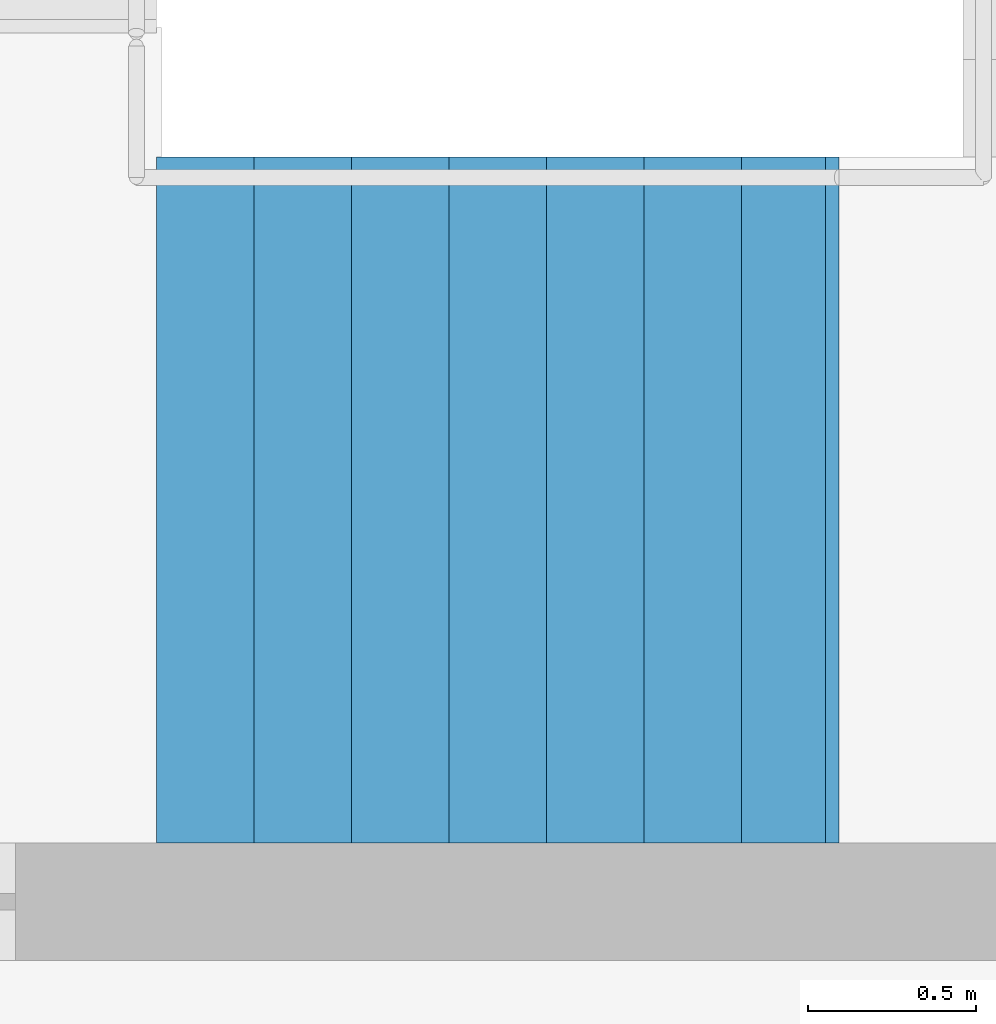
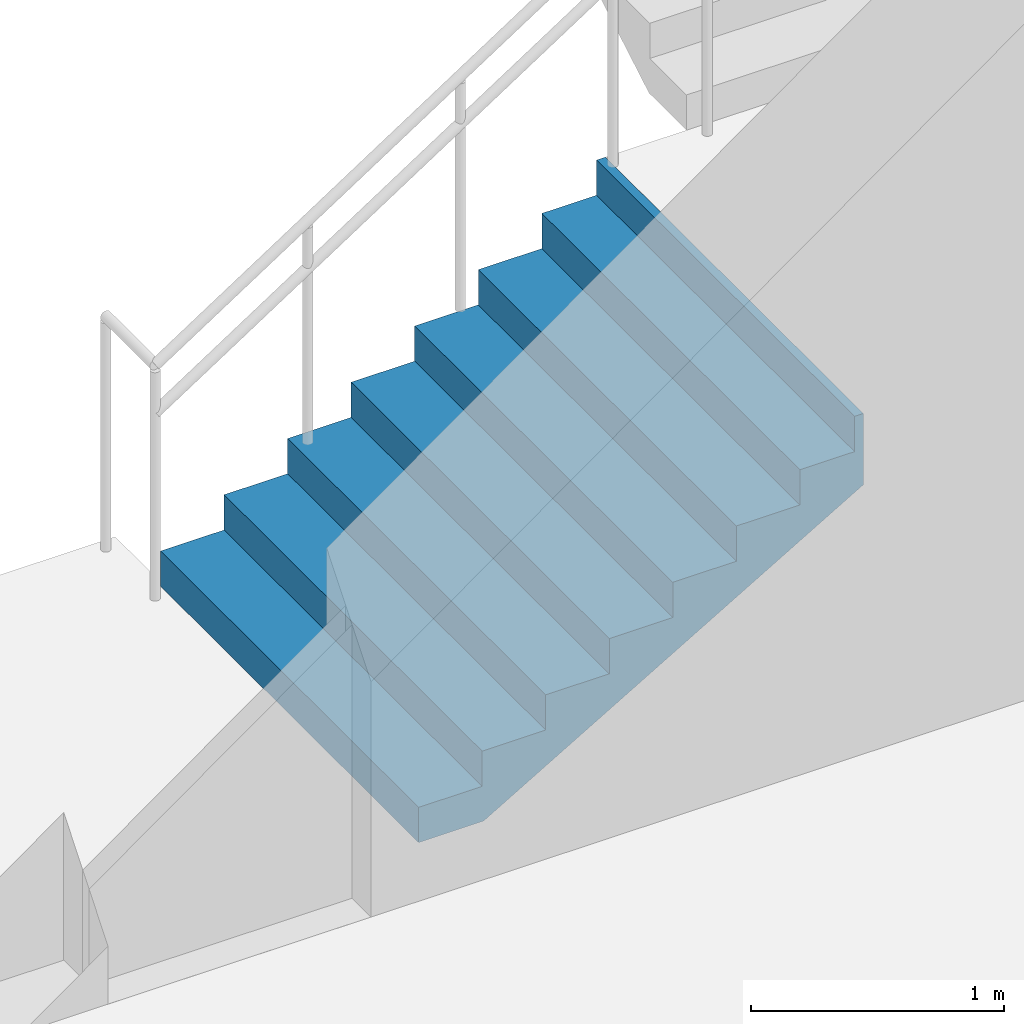
# One storey, part 54 of 72: 1 stair flight, 1 element without a shape of its own.
"""IFC4 building model written with IfcOpenShell, lengths in metres."""

from ifc_helpers import new_model, si_unit, direction, frame, origin, place, context, subcontext, project, spatial, triangles, material, type_object, element, aggregate, save


model = new_model("IFC4")

# Units and contexts
model_context = context("Model", 3, precision=1e-05, world=origin(), true_north=direction((0.0, 1.0)))
body_context = subcontext(model_context, "Body", "Model", "MODEL_VIEW")
ifc_project = project(units=[si_unit("LENGTHUNIT", "METRE"), si_unit("AREAUNIT", "SQUARE_METRE"), si_unit("VOLUMEUNIT", "CUBIC_METRE"), si_unit("PLANEANGLEUNIT", "RADIAN"), si_unit("MASSUNIT", "GRAM", prefix="KILO")], contexts=[model_context])

# Site, building, storey
site_placement = place(None, origin())
site = spatial("IfcSite", under=ifc_project, at=site_placement, CompositionType="ELEMENT")
building_placement = place(site_placement, origin())
building = spatial("IfcBuilding", under=site, at=building_placement, Name="Sillaruma Civic Art Gallery", CompositionType="ELEMENT")
storey_placement = place(building_placement, frame((0.0, 0.0, 10.8798828125)))
storey = spatial("IfcBuildingStorey", under=building, at=storey_placement, Name="L02", CompositionType="ELEMENT", Elevation=10.8798828125)

# Stair, stair flight
ifc_material = material(Name="Concrete H35 (35 MPa)", Category="concrete")
stair_type = type_object("IfcStairType", Name="STR-4F-32", PredefinedType="USERDEFINED", material=ifc_material)
stair_placement = place(storey_placement, origin())
stair = element("IfcStair", 1, at=stair_placement, inside=storey, type_object=stair_type, Name="Protected Exit Stair ST-04 (East Bar) (L02)", ObjectType="THREE_RETURN_STAIR", PredefinedType="USERDEFINED")
stair_flight_type = type_object("IfcStairFlightType", Name="SFL-STR-8", PredefinedType="STRAIGHT", material=ifc_material)
stair_flight_placement = place(storey_placement, frame((100.89990234375, 52.22998046875, 0.0), z_axis=(0.0, 0.0, 1.0), x_axis=(1.0, 0.0, 0.0)))
stair_flight = element("IfcStairFlight", 2, at=stair_flight_placement, type_object=stair_flight_type, Name="ST-04 flight 1", NumberOfRisers=8, NumberOfTreads=7, PredefinedType="STRAIGHT", RiserHeight=0.17, TreadLength=0.29, context=body_context, shape_type="Tessellation", body=[
    triangles([(0.0, -1.02001953125, 0.0), (0.29, -1.02001953125, 0.0), (0.296443, -1.02001953125, 0.0), (0.58, -1.02001953125, 0.166223), (0.87, -1.02001953125, 0.336223), (1.16, -1.02001953125, 0.506223), (1.45, -1.02001953125, 0.676223), (1.74, -1.02001953125, 0.846223), (1.990029, -1.02001953125, 0.992792), (2.030029, -1.02001953125, 1.01624), (2.030029, -1.02001953125, 1.36), (1.990029, -1.02001953125, 1.36), (1.990029, -1.02001953125, 1.19), (1.74, -1.02001953125, 1.19), (1.74, -1.02001953125, 1.02), (1.45, -1.02001953125, 1.02), (1.45, -1.02001953125, 0.85), (1.16, -1.02001953125, 0.85), (1.16, -1.02001953125, 0.68), (0.87, -1.02001953125, 0.68), (0.87, -1.02001953125, 0.51), (0.58, -1.02001953125, 0.51), (0.58, -1.02001953125, 0.34), (0.296443, -1.02001953125, 0.34), (0.29, -1.02001953125, 0.34), (0.29, -1.02001953125, 0.17), (0.0, -1.02001953125, 0.17), (0.0, -0.05, 0.0), (0.29, -0.05, 0.0), (0.296443, -0.05, 0.0), (0.58, -0.05, 0.166223), (0.87, -0.05, 0.336223), (1.16, -0.05, 0.506223), (1.45, -0.05, 0.676223), (1.74, -0.05, 0.846223), (1.990029, -0.05, 0.992792), (2.030029, -0.05, 1.01624), (2.030029, -0.05, 1.36), (1.990029, -0.05, 1.36), (1.990029, -0.05, 1.19), (1.74, -0.05, 1.19), (1.74, -0.05, 1.02), (1.45, -0.05, 1.02), (1.45, -0.05, 0.85), (1.16, -0.05, 0.85), (1.16, -0.05, 0.68), (0.87, -0.05, 0.68), (0.87, -0.05, 0.51), (0.58, -0.05, 0.51), (0.58, -0.05, 0.34), (0.296443, -0.05, 0.34), (0.29, -0.05, 0.34), (0.29, -0.05, 0.17), (0.0, -0.05, 0.17), (0.0, -0.0375, 0.0), (0.29, -0.0375, 0.0), (0.296443, -0.0375, 0.0), (0.58, -0.0375, 0.166223), (0.87, -0.0375, 0.336223), (1.16, -0.0375, 0.506223), (1.45, -0.0375, 0.676223), (1.74, -0.0375, 0.846223), (1.990029, -0.0375, 0.992792), (2.030029, -0.0375, 1.01624), (2.030029, -0.0375, 1.36), (1.990029, -0.0375, 1.36), (1.990029, -0.0375, 1.19), (1.74, -0.0375, 1.19), (1.74, -0.0375, 1.02), (1.45, -0.0375, 1.02), (1.45, -0.0375, 0.85), (1.16, -0.0375, 0.85), (1.16, -0.0375, 0.68), (0.87, -0.0375, 0.68), (0.87, -0.0375, 0.51), (0.58, -0.0375, 0.51), (0.58, -0.0375, 0.34), (0.296443, -0.0375, 0.34), (0.29, -0.0375, 0.34), (0.29, -0.0375, 0.17), (0.0, -0.0375, 0.17), (0.0, -0.025, 0.0), (0.29, -0.025, 0.0), (0.296443, -0.025, 0.0), (0.58, -0.025, 0.166223), (0.87, -0.025, 0.336223), (1.16, -0.025, 0.506223), (1.45, -0.025, 0.676223), (1.74, -0.025, 0.846223), (1.990029, -0.025, 0.992792), (2.030029, -0.025, 1.01624), (2.030029, -0.025, 1.36), (1.990029, -0.025, 1.36), (1.990029, -0.025, 1.19), (1.74, -0.025, 1.19), (1.74, -0.025, 1.02), (1.45, -0.025, 1.02), (1.45, -0.025, 0.85), (1.16, -0.025, 0.85), (1.16, -0.025, 0.68), (0.87, -0.025, 0.68), (0.87, -0.025, 0.51), (0.58, -0.025, 0.51), (0.58, -0.025, 0.34), (0.296443, -0.025, 0.34), (0.29, -0.025, 0.34), (0.29, -0.025, 0.17), (0.0, -0.025, 0.17), (0.0, -0.0125, 0.0), (0.29, -0.0125, 0.0), (0.296443, -0.0125, 0.0), (0.58, -0.0125, 0.166223), (0.87, -0.0125, 0.336223), (1.16, -0.0125, 0.506223), (1.45, -0.0125, 0.676223), (1.74, -0.0125, 0.846223), (1.990029, -0.0125, 0.992792), (2.030029, -0.0125, 1.01624), (2.030029, -0.0125, 1.36), (1.990029, -0.0125, 1.36), (1.990029, -0.0125, 1.19), (1.74, -0.0125, 1.19), (1.74, -0.0125, 1.02), (1.45, -0.0125, 1.02), (1.45, -0.0125, 0.85), (1.16, -0.0125, 0.85), (1.16, -0.0125, 0.68), (0.87, -0.0125, 0.68), (0.87, -0.0125, 0.51), (0.58, -0.0125, 0.51), (0.58, -0.0125, 0.34), (0.296443, -0.0125, 0.34), (0.29, -0.0125, 0.34), (0.29, -0.0125, 0.17), (0.0, -0.0125, 0.17), (0.0, 0.0, 0.0), (0.29, 0.0, 0.0), (0.296443, 0.0, 0.0), (0.58, 0.0, 0.166223), (0.87, 0.0, 0.336223), (1.16, 0.0, 0.506223), (1.45, 0.0, 0.676223), (1.74, 0.0, 0.846223), (1.990029, 0.0, 0.992792), (2.030029, 0.0, 1.01624), (2.030029, 0.0, 1.36), (1.990029, 0.0, 1.36), (1.990029, 0.0, 1.19), (1.74, 0.0, 1.19), (1.74, 0.0, 1.02), (1.45, 0.0, 1.02), (1.45, 0.0, 0.85), (1.16, 0.0, 0.85), (1.16, 0.0, 0.68), (0.87, 0.0, 0.68), (0.87, 0.0, 0.51), (0.58, 0.0, 0.51), (0.58, 0.0, 0.34), (0.296443, 0.0, 0.34), (0.29, 0.0, 0.34), (0.29, 0.0, 0.17), (0.0, 0.0, 0.17), (0.0, 0.0125, 0.0), (0.29, 0.0125, 0.0), (0.296443, 0.0125, 0.0), (0.58, 0.0125, 0.166223), (0.87, 0.0125, 0.336223), (1.16, 0.0125, 0.506223), (1.45, 0.0125, 0.676223), (1.74, 0.0125, 0.846223), (1.990029, 0.0125, 0.992792), (2.030029, 0.0125, 1.01624), (2.030029, 0.0125, 1.36), (1.990029, 0.0125, 1.36), (1.990029, 0.0125, 1.19), (1.74, 0.0125, 1.19), (1.74, 0.0125, 1.02), (1.45, 0.0125, 1.02), (1.45, 0.0125, 0.85), (1.16, 0.0125, 0.85), (1.16, 0.0125, 0.68), (0.87, 0.0125, 0.68), (0.87, 0.0125, 0.51), (0.58, 0.0125, 0.51), (0.58, 0.0125, 0.34), (0.296443, 0.0125, 0.34), (0.29, 0.0125, 0.34), (0.29, 0.0125, 0.17), (0.0, 0.0125, 0.17), (0.0, 0.025, 0.0), (0.29, 0.025, 0.0), (0.296443, 0.025, 0.0), (0.58, 0.025, 0.166223), (0.87, 0.025, 0.336223), (1.16, 0.025, 0.506223), (1.45, 0.025, 0.676223), (1.74, 0.025, 0.846223), (1.990029, 0.025, 0.992792), (2.030029, 0.025, 1.01624), (2.030029, 0.025, 1.36), (1.990029, 0.025, 1.36), (1.990029, 0.025, 1.19), (1.74, 0.025, 1.19), (1.74, 0.025, 1.02), (1.45, 0.025, 1.02), (1.45, 0.025, 0.85), (1.16, 0.025, 0.85), (1.16, 0.025, 0.68), (0.87, 0.025, 0.68), (0.87, 0.025, 0.51), (0.58, 0.025, 0.51), (0.58, 0.025, 0.34), (0.296443, 0.025, 0.34), (0.29, 0.025, 0.34), (0.29, 0.025, 0.17), (0.0, 0.025, 0.17), (0.0, 0.0375, 0.0), (0.29, 0.0375, 0.0), (0.296443, 0.0375, 0.0), (0.58, 0.0375, 0.166223), (0.87, 0.0375, 0.336223), (1.16, 0.0375, 0.506223), (1.45, 0.0375, 0.676223), (1.74, 0.0375, 0.846223), (1.990029, 0.0375, 0.992792), (2.030029, 0.0375, 1.01624), (2.030029, 0.0375, 1.36), (1.990029, 0.0375, 1.36), (1.990029, 0.0375, 1.19), (1.74, 0.0375, 1.19), (1.74, 0.0375, 1.02), (1.45, 0.0375, 1.02), (1.45, 0.0375, 0.85), (1.16, 0.0375, 0.85), (1.16, 0.0375, 0.68), (0.87, 0.0375, 0.68), (0.87, 0.0375, 0.51), (0.58, 0.0375, 0.51), (0.58, 0.0375, 0.34), (0.296443, 0.0375, 0.34), (0.29, 0.0375, 0.34), (0.29, 0.0375, 0.17), (0.0, 0.0375, 0.17), (0.0, 0.05, 0.0), (0.29, 0.05, 0.0), (0.296443, 0.05, 0.0), (0.58, 0.05, 0.166223), (0.87, 0.05, 0.336223), (1.16, 0.05, 0.506223), (1.45, 0.05, 0.676223), (1.74, 0.05, 0.846223), (1.990029, 0.05, 0.992792), (2.030029, 0.05, 1.01624), (2.030029, 0.05, 1.36), (1.990029, 0.05, 1.36), (1.990029, 0.05, 1.19), (1.74, 0.05, 1.19), (1.74, 0.05, 1.02), (1.45, 0.05, 1.02), (1.45, 0.05, 0.85), (1.16, 0.05, 0.85), (1.16, 0.05, 0.68), (0.87, 0.05, 0.68), (0.87, 0.05, 0.51), (0.58, 0.05, 0.51), (0.58, 0.05, 0.34), (0.296443, 0.05, 0.34), (0.29, 0.05, 0.34), (0.29, 0.05, 0.17), (0.0, 0.05, 0.17), (0.0, 1.02001953125, 0.0), (0.29, 1.02001953125, 0.0), (0.296443, 1.02001953125, 0.0), (0.58, 1.02001953125, 0.166223), (0.87, 1.02001953125, 0.336223), (1.16, 1.02001953125, 0.506223), (1.45, 1.02001953125, 0.676223), (1.74, 1.02001953125, 0.846223), (1.990029, 1.02001953125, 0.992792), (2.030029, 1.02001953125, 1.01624), (2.030029, 1.02001953125, 1.36), (1.990029, 1.02001953125, 1.36), (1.990029, 1.02001953125, 1.19), (1.74, 1.02001953125, 1.19), (1.74, 1.02001953125, 1.02), (1.45, 1.02001953125, 1.02), (1.45, 1.02001953125, 0.85), (1.16, 1.02001953125, 0.85), (1.16, 1.02001953125, 0.68), (0.87, 1.02001953125, 0.68), (0.87, 1.02001953125, 0.51), (0.58, 1.02001953125, 0.51), (0.58, 1.02001953125, 0.34), (0.296443, 1.02001953125, 0.34), (0.29, 1.02001953125, 0.34), (0.29, 1.02001953125, 0.17), (0.0, 1.02001953125, 0.17)], [[1, 2, 26], [1, 26, 27], [2, 3, 24], [2, 24, 26], [26, 24, 25], [3, 4, 23], [3, 23, 24], [4, 5, 21], [4, 21, 23], [23, 21, 22], [5, 6, 19], [5, 19, 21], [21, 19, 20], [6, 7, 17], [6, 17, 19], [19, 17, 18], [7, 8, 15], [7, 15, 17], [17, 15, 16], [8, 9, 13], [8, 13, 15], [15, 13, 14], [9, 10, 11], [9, 11, 13], [13, 11, 12], [296, 272, 271], [297, 296, 271], [294, 273, 272], [296, 294, 272], [295, 294, 296], [293, 274, 273], [294, 293, 273], [291, 275, 274], [293, 291, 274], [292, 291, 293], [289, 276, 275], [291, 289, 275], [290, 289, 291], [287, 277, 276], [289, 287, 276], [288, 287, 289], [285, 278, 277], [287, 285, 277], [286, 285, 287], [283, 279, 278], [285, 283, 278], [284, 283, 285], [281, 280, 279], [283, 281, 279], [282, 281, 283], [2, 1, 28], [2, 28, 29], [3, 2, 29], [3, 29, 30], [4, 3, 30], [4, 30, 31], [5, 4, 31], [5, 31, 32], [6, 5, 32], [6, 32, 33], [7, 6, 33], [7, 33, 34], [8, 7, 34], [8, 34, 35], [9, 8, 35], [9, 35, 36], [10, 9, 36], [10, 36, 37], [11, 10, 37], [11, 37, 38], [12, 11, 38], [12, 38, 39], [13, 12, 39], [13, 39, 40], [14, 13, 40], [14, 40, 41], [15, 14, 41], [15, 41, 42], [16, 15, 42], [16, 42, 43], [17, 16, 43], [17, 43, 44], [18, 17, 44], [18, 44, 45], [19, 18, 45], [19, 45, 46], [20, 19, 46], [20, 46, 47], [21, 20, 47], [21, 47, 48], [22, 21, 48], [22, 48, 49], [23, 22, 49], [23, 49, 50], [24, 23, 50], [24, 50, 51], [25, 24, 51], [25, 51, 52], [26, 25, 52], [26, 52, 53], [27, 26, 53], [27, 53, 54], [1, 27, 54], [1, 54, 28], [29, 28, 55], [29, 55, 56], [30, 29, 56], [30, 56, 57], [31, 30, 57], [31, 57, 58], [32, 31, 58], [32, 58, 59], [33, 32, 59], [33, 59, 60], [34, 33, 60], [34, 60, 61], [35, 34, 61], [35, 61, 62], [36, 35, 62], [36, 62, 63], [37, 36, 63], [37, 63, 64], [38, 37, 64], [38, 64, 65], [39, 38, 65], [39, 65, 66], [40, 39, 66], [40, 66, 67], [41, 40, 67], [41, 67, 68], [42, 41, 68], [42, 68, 69], [43, 42, 69], [43, 69, 70], [44, 43, 70], [44, 70, 71], [45, 44, 71], [45, 71, 72], [46, 45, 72], [46, 72, 73], [47, 46, 73], [47, 73, 74], [48, 47, 74], [48, 74, 75], [49, 48, 75], [49, 75, 76], [50, 49, 76], [50, 76, 77], [51, 50, 77], [51, 77, 78], [52, 51, 78], [52, 78, 79], [53, 52, 79], [53, 79, 80], [54, 53, 80], [54, 80, 81], [28, 54, 81], [28, 81, 55], [56, 55, 82], [56, 82, 83], [57, 56, 83], [57, 83, 84], [58, 57, 84], [58, 84, 85], [59, 58, 85], [59, 85, 86], [60, 59, 86], [60, 86, 87], [61, 60, 87], [61, 87, 88], [62, 61, 88], [62, 88, 89], [63, 62, 89], [63, 89, 90], [64, 63, 90], [64, 90, 91], [65, 64, 91], [65, 91, 92], [66, 65, 92], [66, 92, 93], [67, 66, 93], [67, 93, 94], [68, 67, 94], [68, 94, 95], [69, 68, 95], [69, 95, 96], [70, 69, 96], [70, 96, 97], [71, 70, 97], [71, 97, 98], [72, 71, 98], [72, 98, 99], [73, 72, 99], [73, 99, 100], [74, 73, 100], [74, 100, 101], [75, 74, 101], [75, 101, 102], [76, 75, 102], [76, 102, 103], [77, 76, 103], [77, 103, 104], [78, 77, 104], [78, 104, 105], [79, 78, 105], [79, 105, 106], [80, 79, 106], [80, 106, 107], [81, 80, 107], [81, 107, 108], [55, 81, 108], [55, 108, 82], [83, 82, 109], [83, 109, 110], [84, 83, 110], [84, 110, 111], [85, 84, 111], [85, 111, 112], [86, 85, 112], [86, 112, 113], [87, 86, 113], [87, 113, 114], [88, 87, 114], [88, 114, 115], [89, 88, 115], [89, 115, 116], [90, 89, 116], [90, 116, 117], [91, 90, 117], [91, 117, 118], [92, 91, 118], [92, 118, 119], [93, 92, 119], [93, 119, 120], [94, 93, 120], [94, 120, 121], [95, 94, 121], [95, 121, 122], [96, 95, 122], [96, 122, 123], [97, 96, 123], [97, 123, 124], [98, 97, 124], [98, 124, 125], [99, 98, 125], [99, 125, 126], [100, 99, 126], [100, 126, 127], [101, 100, 127], [101, 127, 128], [102, 101, 128], [102, 128, 129], [103, 102, 129], [103, 129, 130], [104, 103, 130], [104, 130, 131], [105, 104, 131], [105, 131, 132], [106, 105, 132], [106, 132, 133], [107, 106, 133], [107, 133, 134], [108, 107, 134], [108, 134, 135], [82, 108, 135], [82, 135, 109], [110, 109, 136], [110, 136, 137], [111, 110, 137], [111, 137, 138], [112, 111, 138], [112, 138, 139], [113, 112, 139], [113, 139, 140], [114, 113, 140], [114, 140, 141], [115, 114, 141], [115, 141, 142], [116, 115, 142], [116, 142, 143], [117, 116, 143], [117, 143, 144], [118, 117, 144], [118, 144, 145], [119, 118, 145], [119, 145, 146], [120, 119, 146], [120, 146, 147], [121, 120, 147], [121, 147, 148], [122, 121, 148], [122, 148, 149], [123, 122, 149], [123, 149, 150], [124, 123, 150], [124, 150, 151], [125, 124, 151], [125, 151, 152], [126, 125, 152], [126, 152, 153], [127, 126, 153], [127, 153, 154], [128, 127, 154], [128, 154, 155], [129, 128, 155], [129, 155, 156], [130, 129, 156], [130, 156, 157], [131, 130, 157], [131, 157, 158], [132, 131, 158], [132, 158, 159], [133, 132, 159], [133, 159, 160], [134, 133, 160], [134, 160, 161], [135, 134, 161], [135, 161, 162], [109, 135, 162], [109, 162, 136], [137, 136, 163], [137, 163, 164], [138, 137, 164], [138, 164, 165], [139, 138, 165], [139, 165, 166], [140, 139, 166], [140, 166, 167], [141, 140, 167], [141, 167, 168], [142, 141, 168], [142, 168, 169], [143, 142, 169], [143, 169, 170], [144, 143, 170], [144, 170, 171], [145, 144, 171], [145, 171, 172], [146, 145, 172], [146, 172, 173], [147, 146, 173], [147, 173, 174], [148, 147, 174], [148, 174, 175], [149, 148, 175], [149, 175, 176], [150, 149, 176], [150, 176, 177], [151, 150, 177], [151, 177, 178], [152, 151, 178], [152, 178, 179], [153, 152, 179], [153, 179, 180], [154, 153, 180], [154, 180, 181], [155, 154, 181], [155, 181, 182], [156, 155, 182], [156, 182, 183], [157, 156, 183], [157, 183, 184], [158, 157, 184], [158, 184, 185], [159, 158, 185], [159, 185, 186], [160, 159, 186], [160, 186, 187], [161, 160, 187], [161, 187, 188], [162, 161, 188], [162, 188, 189], [136, 162, 189], [136, 189, 163], [164, 163, 190], [164, 190, 191], [165, 164, 191], [165, 191, 192], [166, 165, 192], [166, 192, 193], [167, 166, 193], [167, 193, 194], [168, 167, 194], [168, 194, 195], [169, 168, 195], [169, 195, 196], [170, 169, 196], [170, 196, 197], [171, 170, 197], [171, 197, 198], [172, 171, 198], [172, 198, 199], [173, 172, 199], [173, 199, 200], [174, 173, 200], [174, 200, 201], [175, 174, 201], [175, 201, 202], [176, 175, 202], [176, 202, 203], [177, 176, 203], [177, 203, 204], [178, 177, 204], [178, 204, 205], [179, 178, 205], [179, 205, 206], [180, 179, 206], [180, 206, 207], [181, 180, 207], [181, 207, 208], [182, 181, 208], [182, 208, 209], [183, 182, 209], [183, 209, 210], [184, 183, 210], [184, 210, 211], [185, 184, 211], [185, 211, 212], [186, 185, 212], [186, 212, 213], [187, 186, 213], [187, 213, 214], [188, 187, 214], [188, 214, 215], [189, 188, 215], [189, 215, 216], [163, 189, 216], [163, 216, 190], [191, 190, 217], [191, 217, 218], [192, 191, 218], [192, 218, 219], [193, 192, 219], [193, 219, 220], [194, 193, 220], [194, 220, 221], [195, 194, 221], [195, 221, 222], [196, 195, 222], [196, 222, 223], [197, 196, 223], [197, 223, 224], [198, 197, 224], [198, 224, 225], [199, 198, 225], [199, 225, 226], [200, 199, 226], [200, 226, 227], [201, 200, 227], [201, 227, 228], [202, 201, 228], [202, 228, 229], [203, 202, 229], [203, 229, 230], [204, 203, 230], [204, 230, 231], [205, 204, 231], [205, 231, 232], [206, 205, 232], [206, 232, 233], [207, 206, 233], [207, 233, 234], [208, 207, 234], [208, 234, 235], [209, 208, 235], [209, 235, 236], [210, 209, 236], [210, 236, 237], [211, 210, 237], [211, 237, 238], [212, 211, 238], [212, 238, 239], [213, 212, 239], [213, 239, 240], [214, 213, 240], [214, 240, 241], [215, 214, 241], [215, 241, 242], [216, 215, 242], [216, 242, 243], [190, 216, 243], [190, 243, 217], [218, 217, 244], [218, 244, 245], [219, 218, 245], [219, 245, 246], [220, 219, 246], [220, 246, 247], [221, 220, 247], [221, 247, 248], [222, 221, 248], [222, 248, 249], [223, 222, 249], [223, 249, 250], [224, 223, 250], [224, 250, 251], [225, 224, 251], [225, 251, 252], [226, 225, 252], [226, 252, 253], [227, 226, 253], [227, 253, 254], [228, 227, 254], [228, 254, 255], [229, 228, 255], [229, 255, 256], [230, 229, 256], [230, 256, 257], [231, 230, 257], [231, 257, 258], [232, 231, 258], [232, 258, 259], [233, 232, 259], [233, 259, 260], [234, 233, 260], [234, 260, 261], [235, 234, 261], [235, 261, 262], [236, 235, 262], [236, 262, 263], [237, 236, 263], [237, 263, 264], [238, 237, 264], [238, 264, 265], [239, 238, 265], [239, 265, 266], [240, 239, 266], [240, 266, 267], [241, 240, 267], [241, 267, 268], [242, 241, 268], [242, 268, 269], [243, 242, 269], [243, 269, 270], [217, 243, 270], [217, 270, 244], [245, 244, 271], [245, 271, 272], [246, 245, 272], [246, 272, 273], [247, 246, 273], [247, 273, 274], [248, 247, 274], [248, 274, 275], [249, 248, 275], [249, 275, 276], [250, 249, 276], [250, 276, 277], [251, 250, 277], [251, 277, 278], [252, 251, 278], [252, 278, 279], [253, 252, 279], [253, 279, 280], [254, 253, 280], [254, 280, 281], [255, 254, 281], [255, 281, 282], [256, 255, 282], [256, 282, 283], [257, 256, 283], [257, 283, 284], [258, 257, 284], [258, 284, 285], [259, 258, 285], [259, 285, 286], [260, 259, 286], [260, 286, 287], [261, 260, 287], [261, 287, 288], [262, 261, 288], [262, 288, 289], [263, 262, 289], [263, 289, 290], [264, 263, 290], [264, 290, 291], [265, 264, 291], [265, 291, 292], [266, 265, 292], [266, 292, 293], [267, 266, 293], [267, 293, 294], [268, 267, 294], [268, 294, 295], [269, 268, 295], [269, 295, 296], [270, 269, 296], [270, 296, 297], [244, 270, 297], [244, 297, 271]], closed=True),
])
aggregate(stair, [stair_flight])

save(model, "model.ifc")
